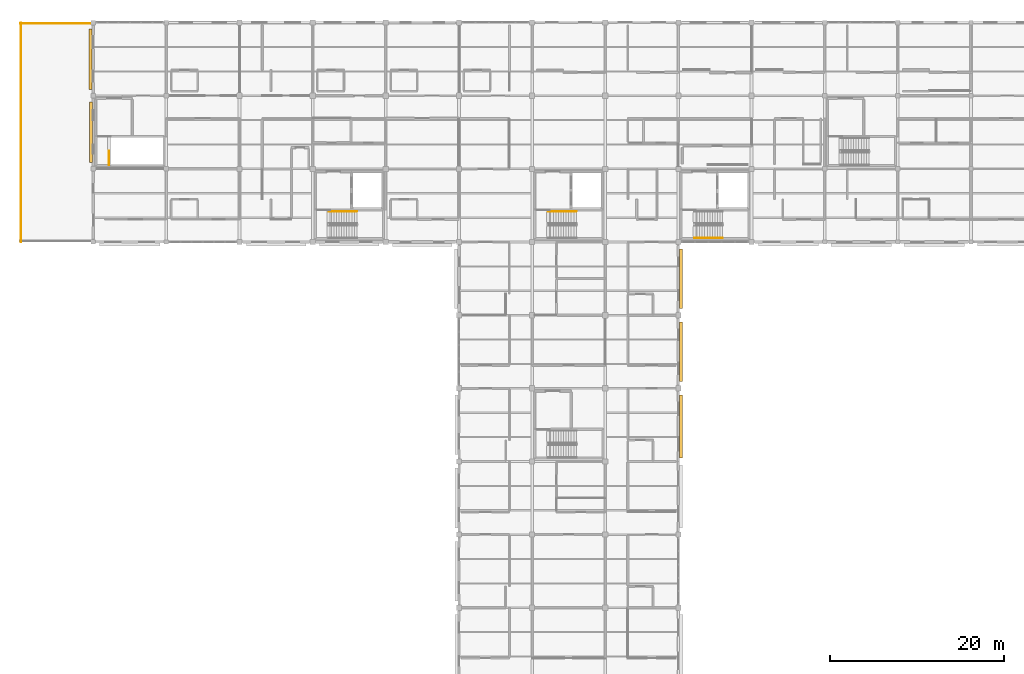
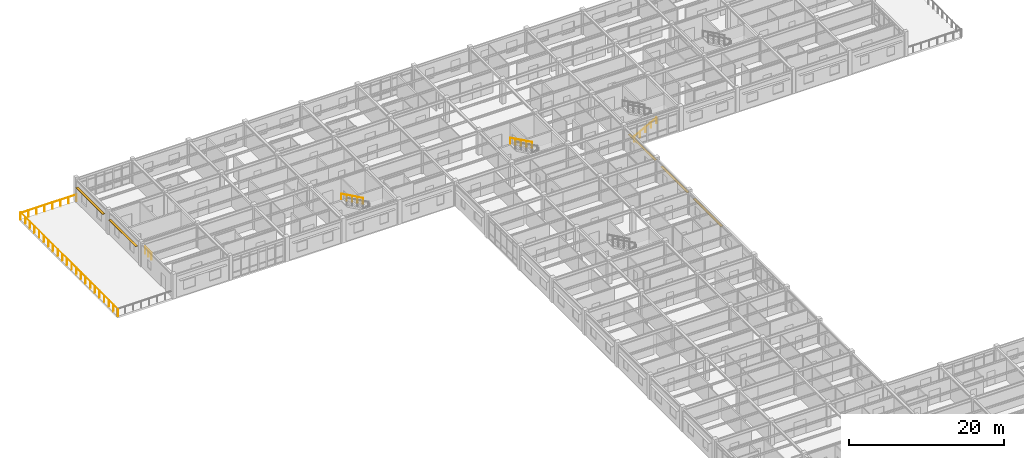
# One storey, part 66 of 70: 8 railings, 5 shading devices.
"""IFC4 building model written with IfcOpenShell, lengths in metres."""

from ifc_helpers import new_model, si_unit, direction, frame, origin, origin_2d, place, context, subcontext, project, spatial, rectangle, circle, extrude, material, material_profile, profile_set, type_object, element, save


model = new_model("IFC4")

# Units and contexts
model_context = context("Model", 3, precision=1e-05, world=origin(), true_north=direction((0.0, 1.0)))
body_context = subcontext(model_context, "Body", "Model", "MODEL_VIEW")
ifc_project = project(units=[si_unit("LENGTHUNIT", "METRE"), si_unit("AREAUNIT", "SQUARE_METRE"), si_unit("VOLUMEUNIT", "CUBIC_METRE"), si_unit("PLANEANGLEUNIT", "RADIAN"), si_unit("MASSUNIT", "GRAM", prefix="KILO")], contexts=[model_context])

# Site, building, storey
site_placement = place(None, origin())
site = spatial("IfcSite", under=ifc_project, at=site_placement, CompositionType="ELEMENT")
building_placement = place(site_placement, origin())
building = spatial("IfcBuilding", under=site, at=building_placement, Name="Bramfleet General Hospital", CompositionType="ELEMENT")
storey_placement = place(building_placement, frame((0.0, 0.0, 22.5)))
storey = spatial("IfcBuildingStorey", under=building, at=storey_placement, Name="L05", CompositionType="ELEMENT", Elevation=22.5)

# Railings
ifc_material_1 = material(Name="Stainless steel 1.4401 safety balustrade", Category="steel")
railing_type_1 = type_object("IfcRailingType", Name="RAIL-EXT-GUARD", PredefinedType="GUARDRAIL", material=ifc_material_1)
railing_1_placement = place(storey_placement, frame((42.10009765625, 92.409912109375, 0.0)))
element("IfcRailing", 1, at=railing_1_placement, inside=storey, type_object=railing_type_1, Name="L05 Safety Guard Rail 195", PredefinedType="GUARDRAIL", context=body_context, shape_type="SweptSolid", body=[
    extrude(circle(Radius=0.02392578125, at=origin_2d()), frame((0.0, 0.0, 1.076171875), z_axis=(0.0, 1.0, 0.0), x_axis=(-1.0, 0.0, 0.0)), (0.0, 0.0, 1.0), 8.380126953125),
    extrude(circle(Radius=0.02099609375, at=origin_2d()), origin(), (0.0, 0.0, 1.0), 1.052001953125),
    extrude(circle(Radius=0.02099609375, at=origin_2d()), frame((0.0, 1.197265625, 0.0)), (0.0, 0.0, 1.0), 1.052001953125),
    extrude(circle(Radius=0.02099609375, at=origin_2d()), frame((0.0, 2.394287109375, 0.0)), (0.0, 0.0, 1.0), 1.052001953125),
    extrude(circle(Radius=0.02099609375, at=origin_2d()), frame((0.0, 3.591552734375, 0.0)), (0.0, 0.0, 1.0), 1.052001953125),
    extrude(circle(Radius=0.02099609375, at=origin_2d()), frame((0.0, 4.78857421875, 0.0)), (0.0, 0.0, 1.0), 1.052001953125),
    extrude(circle(Radius=0.02099609375, at=origin_2d()), frame((0.0, 5.98583984375, 0.0)), (0.0, 0.0, 1.0), 1.052001953125),
    extrude(circle(Radius=0.02099609375, at=origin_2d()), frame((0.0, 7.182861328125, 0.0)), (0.0, 0.0, 1.0), 1.052001953125),
    extrude(circle(Radius=0.02099609375, at=origin_2d()), frame((0.0, 8.380126953125, 0.0)), (0.0, 0.0, 1.0), 1.052001953125),
])
railing_2_placement = place(storey_placement, frame((42.10009765625, 100.81005859375, 0.0)))
element("IfcRailing", 2, at=railing_2_placement, inside=storey, type_object=railing_type_1, Name="L05 Safety Guard Rail 196", PredefinedType="GUARDRAIL", context=body_context, shape_type="SweptSolid", body=[
    extrude(circle(Radius=0.02392578125, at=origin_2d()), frame((0.0, 0.0, 1.076171875), z_axis=(0.0, 1.0, 0.0), x_axis=(-1.0, 0.0, 0.0)), (0.0, 0.0, 1.0), 8.3798828125),
    extrude(circle(Radius=0.02099609375, at=origin_2d()), origin(), (0.0, 0.0, 1.0), 1.052001953125),
    extrude(circle(Radius=0.02099609375, at=origin_2d()), frame((0.0, 1.197021484375, 0.0)), (0.0, 0.0, 1.0), 1.052001953125),
    extrude(circle(Radius=0.02099609375, at=origin_2d()), frame((0.0, 2.394287109375, 0.0)), (0.0, 0.0, 1.0), 1.052001953125),
    extrude(circle(Radius=0.02099609375, at=origin_2d()), frame((0.0, 3.59130859375, 0.0)), (0.0, 0.0, 1.0), 1.052001953125),
    extrude(circle(Radius=0.02099609375, at=origin_2d()), frame((0.0, 4.78857421875, 0.0)), (0.0, 0.0, 1.0), 1.052001953125),
    extrude(circle(Radius=0.02099609375, at=origin_2d()), frame((0.0, 5.985595703125, 0.0)), (0.0, 0.0, 1.0), 1.052001953125),
    extrude(circle(Radius=0.02099609375, at=origin_2d()), frame((0.0, 7.182861328125, 0.0)), (0.0, 0.0, 1.0), 1.052001953125),
    extrude(circle(Radius=0.02099609375, at=origin_2d()), frame((0.0, 8.3798828125, 0.0)), (0.0, 0.0, 1.0), 1.052001953125),
])
railing_3_placement = place(storey_placement, frame((42.10009765625, 109.2099609375, 0.0)))
element("IfcRailing", 3, at=railing_3_placement, inside=storey, type_object=railing_type_1, Name="L05 Safety Guard Rail 197", PredefinedType="GUARDRAIL", context=body_context, shape_type="SweptSolid", body=[
    extrude(circle(Radius=0.02392578125, at=origin_2d()), frame((0.0, 0.0, 1.076171875), z_axis=(0.0, 1.0, 0.0), x_axis=(-1.0, 0.0, 0.0)), (0.0, 0.0, 1.0), 8.380126953125),
    extrude(circle(Radius=0.02099609375, at=origin_2d()), origin(), (0.0, 0.0, 1.0), 1.052001953125),
    extrude(circle(Radius=0.02099609375, at=origin_2d()), frame((0.0, 1.197265625, 0.0)), (0.0, 0.0, 1.0), 1.052001953125),
    extrude(circle(Radius=0.02099609375, at=origin_2d()), frame((0.0, 2.394287109375, 0.0)), (0.0, 0.0, 1.0), 1.052001953125),
    extrude(circle(Radius=0.02099609375, at=origin_2d()), frame((0.0, 3.591552734375, 0.0)), (0.0, 0.0, 1.0), 1.052001953125),
    extrude(circle(Radius=0.02099609375, at=origin_2d()), frame((0.0, 4.78857421875, 0.0)), (0.0, 0.0, 1.0), 1.052001953125),
    extrude(circle(Radius=0.02099609375, at=origin_2d()), frame((0.0, 5.98583984375, 0.0)), (0.0, 0.0, 1.0), 1.052001953125),
    extrude(circle(Radius=0.02099609375, at=origin_2d()), frame((0.0, 7.182861328125, 0.0)), (0.0, 0.0, 1.0), 1.052001953125),
    extrude(circle(Radius=0.02099609375, at=origin_2d()), frame((0.0, 8.380126953125, 0.0)), (0.0, 0.0, 1.0), 1.052001953125),
])
railing_4_placement = place(storey_placement, frame((42.010009765625, 117.5, 0.0)))
element("IfcRailing", 4, at=railing_4_placement, inside=storey, type_object=railing_type_1, Name="L05 Safety Guard Rail 198", PredefinedType="GUARDRAIL", context=body_context, shape_type="SweptSolid", body=[
    extrude(circle(Radius=0.02392578125, at=origin_2d()), frame((0.0, 0.0, 1.076171875), z_axis=(1.0, 0.0, 0.0), x_axis=(0.0, 1.0, 0.0)), (0.0, 0.0, 1.0), 8.3798828125),
    extrude(circle(Radius=0.02099609375, at=origin_2d()), origin(), (0.0, 0.0, 1.0), 1.052001953125),
    extrude(circle(Radius=0.02099609375, at=origin_2d()), frame((1.197021484375, 0.0, 0.0)), (0.0, 0.0, 1.0), 1.052001953125),
    extrude(circle(Radius=0.02099609375, at=origin_2d()), frame((2.394287109375, 0.0, 0.0)), (0.0, 0.0, 1.0), 1.052001953125),
    extrude(circle(Radius=0.02099609375, at=origin_2d()), frame((3.59130859375, 0.0, 0.0)), (0.0, 0.0, 1.0), 1.052001953125),
    extrude(circle(Radius=0.02099609375, at=origin_2d()), frame((4.78857421875, 0.0, 0.0)), (0.0, 0.0, 1.0), 1.052001953125),
    extrude(circle(Radius=0.02099609375, at=origin_2d()), frame((5.985595703125, 0.0, 0.0)), (0.0, 0.0, 1.0), 1.052001953125),
    extrude(circle(Radius=0.02099609375, at=origin_2d()), frame((7.182861328125, 0.0, 0.0)), (0.0, 0.0, 1.0), 1.052001953125),
    extrude(circle(Radius=0.02099609375, at=origin_2d()), frame((8.3798828125, 0.0, 0.0)), (0.0, 0.0, 1.0), 1.052001953125),
])
ifc_material_2 = material(Name="Powder-coated steel stair balustrade", Category="steel")
railing_type_2 = type_object("IfcRailingType", Name="RAIL-ST-GUARD", PredefinedType="GUARDRAIL", material=ifc_material_2)
railing_5_placement = place(storey_placement, frame((52.18994140625, 101.219970703125, 0.0)))
element("IfcRailing", 5, at=railing_5_placement, inside=storey, type_object=railing_type_2, Name="L05 ST-C14 top well guard 1", PredefinedType="GUARDRAIL", context=body_context, shape_type="SweptSolid", body=[
    extrude(circle(Radius=0.02392578125, at=origin_2d()), frame((0.0, 0.0, 1.076171875), z_axis=(0.0, 1.0, 0.0), x_axis=(-1.0, 0.0, 0.0)), (0.0, 0.0, 1.0), 1.659912109375),
    extrude(circle(Radius=0.02099609375, at=origin_2d()), origin(), (0.0, 0.0, 1.0), 1.052001953125),
    extrude(circle(Radius=0.02099609375, at=origin_2d()), frame((0.0, 0.830078125, 0.0)), (0.0, 0.0, 1.0), 1.052001953125),
    extrude(circle(Radius=0.02099609375, at=origin_2d()), frame((0.0, 1.659912109375, 0.0)), (0.0, 0.0, 1.0), 1.052001953125),
])
ifc_material_3 = material(Name="Stainless steel 1.4301 stair handrail", Category="steel")
railing_type_3 = type_object("IfcRailingType", Name="RAIL-ST-HND", PredefinedType="HANDRAIL", material=ifc_material_3)
for number, where, name in (
    (6, (105.885009765625, 95.929931640625, 2.112548828125), "L05 ST-C4 stair handrail 2"),
    (7, (80.68505859375, 95.929931640625, 2.112548828125), "L05 ST-C5 stair handrail 2"),
):
    element("IfcRailing", number, at=place(storey_placement, frame(where)), inside=storey, type_object=railing_type_3, Name=name, PredefinedType="HANDRAIL", context=body_context, shape_type="SweptSolid", body=[
        extrude(circle(Radius=0.02392578125, at=origin_2d()), frame((0.0, 0.0, 0.8759765625), z_axis=(-0.875926352668, 0.0, 0.482444841098), x_axis=(0.0, -1.0, 0.0)), (0.0, 0.0, 1.0), 3.704833984375),
        extrude(circle(Radius=0.02099609375, at=origin_2d()), origin(), (0.0, 0.0, 1.0), 0.851806640625),
        extrude(circle(Radius=0.02099609375, at=origin_2d()), frame((-0.811279296875, 0.0, 0.44677734375)), (0.0, 0.0, 1.0), 0.851806640625),
        extrude(circle(Radius=0.02099609375, at=origin_2d()), frame((-1.62255859375, 0.0, 0.8935546875)), (0.0, 0.0, 1.0), 0.851806640625),
        extrude(circle(Radius=0.02099609375, at=origin_2d()), frame((-2.433837890625, 0.0, 1.340576171875)), (0.0, 0.0, 1.0), 0.851806640625),
        extrude(circle(Radius=0.02099609375, at=origin_2d()), frame((-3.2451171875, 0.0, 1.787353515625)), (0.0, 0.0, 1.0), 0.851806640625),
    ])
railing_6_placement = place(storey_placement, frame((119.43994140625, 92.8701171875, 0.16259765625)))
element("IfcRailing", 8, at=railing_6_placement, inside=storey, type_object=railing_type_3, Name="L05 ST-C6 stair handrail 1", PredefinedType="HANDRAIL", context=body_context, shape_type="SweptSolid", body=[
    extrude(circle(Radius=0.02392578125, at=origin_2d()), frame((0.0, 0.0, 0.8759765625), z_axis=(0.875926352668, 0.0, 0.482444841098), x_axis=(0.0, 1.0, 0.0)), (0.0, 0.0, 1.0), 3.704833984375),
    extrude(circle(Radius=0.02099609375, at=origin_2d()), origin(), (0.0, 0.0, 1.0), 0.851806640625),
    extrude(circle(Radius=0.02099609375, at=origin_2d()), frame((0.811279296875, 0.0, 0.44677734375)), (0.0, 0.0, 1.0), 0.851806640625),
    extrude(circle(Radius=0.02099609375, at=origin_2d()), frame((1.62255859375, 0.0, 0.8935546875)), (0.0, 0.0, 1.0), 0.851806640625),
    extrude(circle(Radius=0.02099609375, at=origin_2d()), frame((2.433837890625, 0.0, 1.340576171875)), (0.0, 0.0, 1.0), 0.851806640625),
    extrude(circle(Radius=0.02099609375, at=origin_2d()), frame((3.2451171875, 0.0, 1.787353515625)), (0.0, 0.0, 1.0), 0.851806640625),
])

# Shading devices
ifc_material_4 = material(Name="Anodised aluminium EN AW-6063", Category="aluminium")
ifc_material_profile = material_profile(ifc_material_4, rectangle(XDim=0.050048828125, YDim=0.35009765625, at=origin_2d()), Name="ALU LOUVRE 350x50")
ifc_profile_set = profile_set([ifc_material_profile], Name="Anodised aluminium EN AW-6063")
shading_device_type = type_object("IfcShadingDeviceType", Name="SHD-LVR-350", PredefinedType="USERDEFINED", material=ifc_profile_set)
shading_device_1_placement = place(storey_placement, frame((50.12255859375, 101.52490234375, 2.669921875), z_axis=(0.0, 1.0, 0.0), x_axis=(0.0, 0.0, 1.0)))
element("IfcShadingDevice", 9, at=shading_device_1_placement, inside=storey, type_object=shading_device_type, Name="L05 Solar Shading Louvre 48", ObjectType="Louvre", PredefinedType="USERDEFINED", context=body_context, shape_type="SweptSolid", body=[
    extrude(rectangle(XDim=0.050048828125, YDim=0.35009765625, at=origin_2d()), origin(), (0.0, 0.0, 1.0), 6.9501953125),
])
shading_device_2_placement = place(storey_placement, frame((50.072509765625, 109.925048828125, 2.669921875), z_axis=(0.0, 1.0, 0.0), x_axis=(0.0, 0.0, 1.0)))
element("IfcShadingDevice", 10, at=shading_device_2_placement, inside=storey, type_object=shading_device_type, Name="L05 Solar Shading Louvre 49", ObjectType="Louvre", PredefinedType="USERDEFINED", context=body_context, shape_type="SweptSolid", body=[
    extrude(rectangle(XDim=0.050048828125, YDim=0.35009765625, at=origin_2d()), origin(), (0.0, 0.0, 1.0), 6.949951171875),
])
for number, where, z_axis, x_axis, name in (
    (11, (117.89990234375, 91.625, 2.669921875), (0.0, -1.0, 0.0), (0.0, 0.0, 1.0), "L05 Solar Shading Louvre 56"),
    (12, (117.892578125, 83.22509765625, 2.669921875), (0.0, -1.0, 0.0), (0.0, 0.0, 1.0), "L05 Solar Shading Louvre 57"),
):
    element("IfcShadingDevice", number, at=place(storey_placement, frame(where, z_axis=z_axis, x_axis=x_axis)), inside=storey, type_object=shading_device_type, Name=name, ObjectType="Louvre", PredefinedType="USERDEFINED", context=body_context, shape_type="SweptSolid", body=[
        extrude(rectangle(XDim=0.050048828125, YDim=0.35009765625, at=origin_2d()), origin(), (0.0, 0.0, 1.0), 6.85009765625),
    ])
shading_device_3_placement = place(storey_placement, frame((117.885009765625, 74.824951171875, 2.669921875), z_axis=(0.0, -1.0, 0.0), x_axis=(0.0, 0.0, 1.0)))
element("IfcShadingDevice", 13, at=shading_device_3_placement, inside=storey, type_object=shading_device_type, Name="L05 Solar Shading Louvre 58", ObjectType="Louvre", PredefinedType="USERDEFINED", context=body_context, shape_type="SweptSolid", body=[
    extrude(rectangle(XDim=0.050048828125, YDim=0.35009765625, at=origin_2d()), origin(), (0.0, 0.0, 1.0), 7.224853515625),
])

save(model, "model.ifc")
